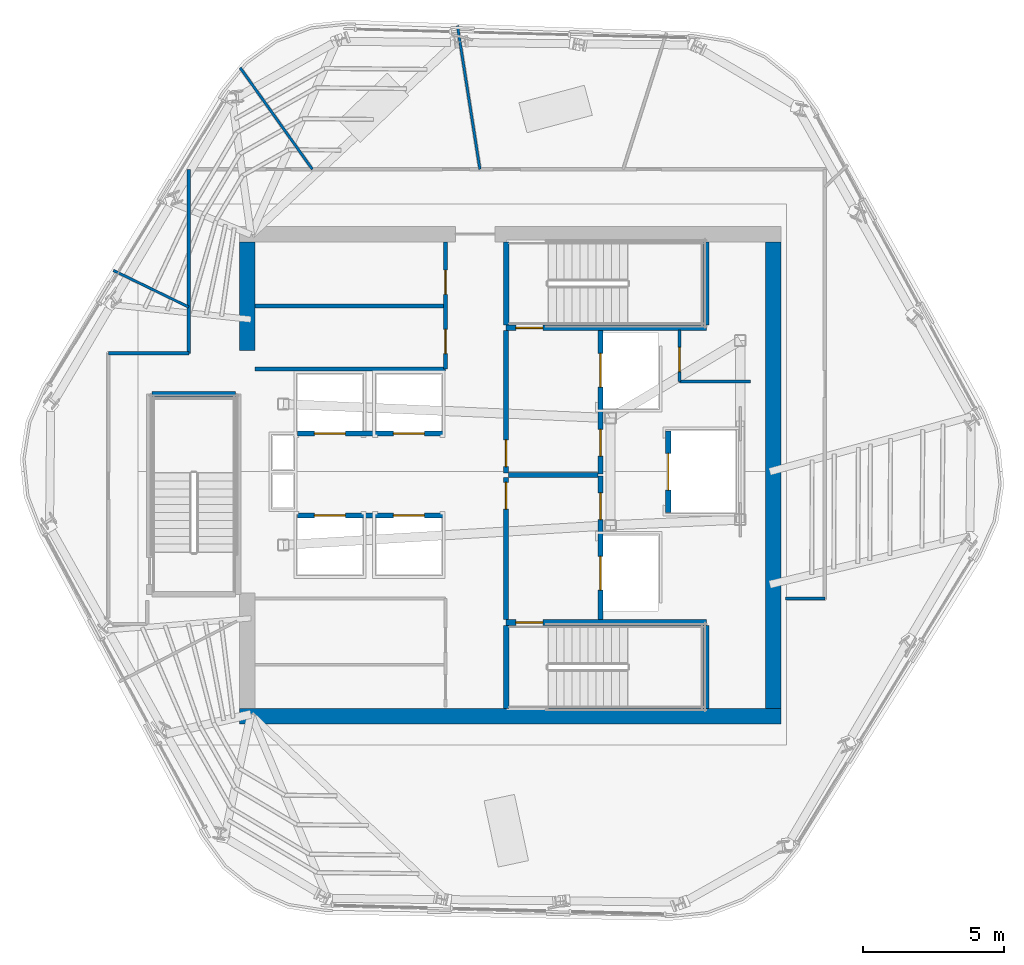
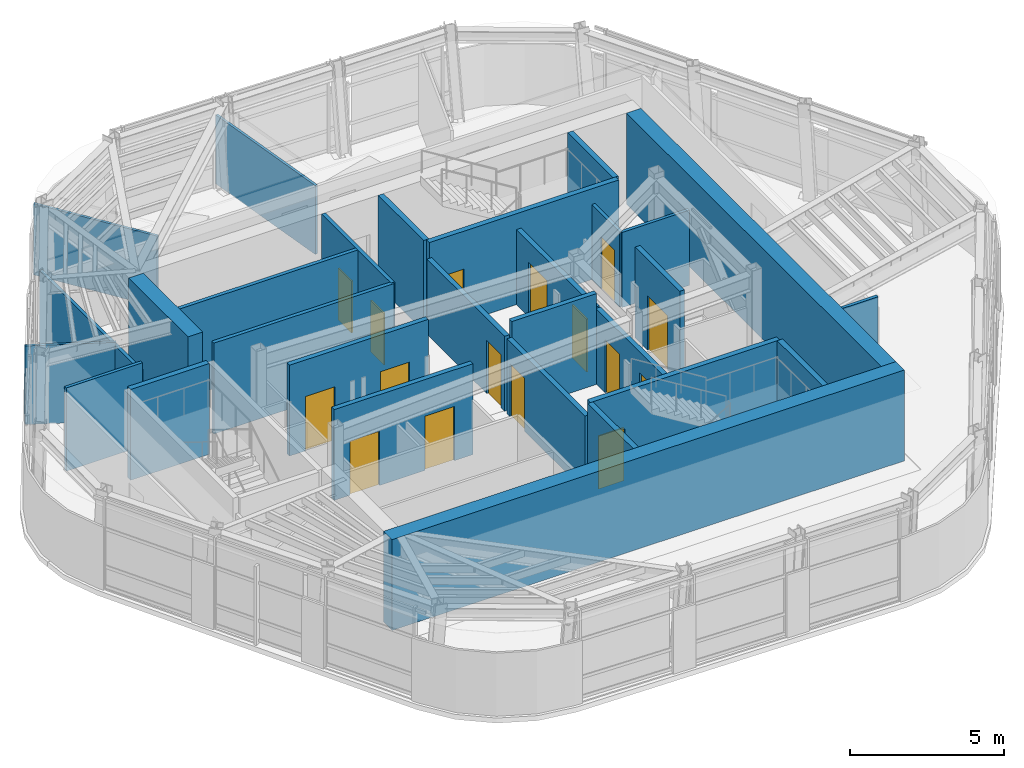
# One storey, part 7 of 13: 29 walls, 16 doors, 16 openings.
"""IFC4 building model written with IfcOpenShell, lengths in metres."""

from ifc_helpers import new_model, si_unit, direction, frame, frame_2d, origin, place, context, subcontext, project, spatial, rectangle, extrude, material, layer, layer_set, type_object, element, fill, save


model = new_model("IFC4")

# Units and contexts
model_context = context("Model", 3, precision=1e-05, world=origin(), true_north=direction((0.0, 1.0)))
body_context = subcontext(model_context, "Body", "Model", "MODEL_VIEW")
ifc_project = project(units=[si_unit("LENGTHUNIT", "METRE"), si_unit("AREAUNIT", "SQUARE_METRE"), si_unit("VOLUMEUNIT", "CUBIC_METRE"), si_unit("PLANEANGLEUNIT", "RADIAN"), si_unit("MASSUNIT", "GRAM", prefix="KILO")], contexts=[model_context])

# Site, building, storey
site_placement = place(None, origin())
site = spatial("IfcSite", under=ifc_project, at=site_placement, CompositionType="ELEMENT")
building_placement = place(site_placement, origin())
building = spatial("IfcBuilding", under=site, at=building_placement, Name="Valkerne Bourse Tower", CompositionType="ELEMENT")
storey_placement = place(building_placement, frame((0.0, 0.0, 277.39990234375)))
storey = spatial("IfcBuildingStorey", under=building, at=storey_placement, Name="L70", CompositionType="ELEMENT", Elevation=277.39990234375)

# Walls
ifc_material_1 = material(Name="Concrete C55/67", Category="concrete")
ifc_layer_1 = layer(ifc_material_1, 0.550048828125)
ifc_layer_set_1 = layer_set([ifc_layer_1], Name="Concrete C55/67")
wall_type_1 = type_object("IfcWallType", Name="W-CORE-550", PredefinedType="SHEAR", material=ifc_layer_set_1)
wall_1_placement = place(storey_placement, frame((37.199951171875, 18.324951171875, 0.0), z_axis=(0.0, 0.0, 1.0), x_axis=(1.0, 0.0, 0.0)))
element("IfcWall", 1, at=wall_1_placement, inside=storey, type_object=wall_type_1, Name="L70 Core Shear Wall SOUTH", PredefinedType="SHEAR", context=body_context, shape_type="SweptSolid", body=[
    extrude(rectangle(XDim=19.199951171875, YDim=0.550048828125, at=frame_2d((9.60009765625, 0.0))), origin(), (0.0, 0.0, 1.0), 3.60009765625),
])
wall_2_placement = place(storey_placement, frame((56.125, 18.60009765625, 0.0), z_axis=(0.0, 0.0, 1.0), x_axis=(0.0, 1.0, 0.0)))
element("IfcWall", 2, at=wall_2_placement, inside=storey, type_object=wall_type_1, Name="L70 Core Shear Wall EAST", PredefinedType="SHEAR", context=body_context, shape_type="SweptSolid", body=[
    extrude(rectangle(XDim=16.5498046875, YDim=0.550048828125, at=frame_2d((8.27490234375, 0.0))), origin(), (0.0, 0.0, 1.0), 3.60009765625),
])
wall_3_placement = place(storey_placement, frame((37.47509765625, 31.300048828125, 0.0), z_axis=(0.0, 0.0, 1.0), x_axis=(0.0, 1.0, 0.0)))
element("IfcWall", 3, at=wall_3_placement, inside=storey, type_object=wall_type_1, Name="L70 Core Shear Wall WEST-N", PredefinedType="SHEAR", context=body_context, shape_type="SweptSolid", body=[
    extrude(rectangle(XDim=3.849853515625, YDim=0.550048828125, at=frame_2d((1.9248046875, 0.0))), origin(), (0.0, 0.0, 1.0), 3.60009765625),
])

# Wall, opening, door
ifc_material_2 = material(Name="Gypsum Board Steel-Stud Partition", Category="steel")
ifc_layer_2 = layer(ifc_material_2, 0.117919921875)
ifc_layer_set_2 = layer_set([ifc_layer_2], Name="Gypsum Board Steel-Stud Partition")
wall_type_2 = type_object("IfcWallType", Name="W-CORR-140", PredefinedType="PARTITIONING", material=ifc_layer_set_2)
wall_4_placement = place(storey_placement, frame((52.800048828125, 30.199951171875, 0.0), z_axis=(0.0, 0.0, 1.0), x_axis=(0.0, 1.0, 0.0)))
wall_4 = element("IfcWall", 4, at=wall_4_placement, inside=storey, type_object=wall_type_2, Name="L70 Core NE Bay West Wall", PredefinedType="PARTITIONING", context=body_context, shape_type="SweptSolid", body=[
    extrude(rectangle(XDim=1.820068359375, YDim=0.117919921875, at=frame_2d((0.91015625, 0.0))), origin(), (0.0, 0.0, 1.0), 2.977783203125),
])
opening_1_placement = place(wall_4_placement, frame((0.35009765625, 0.0, 0.0)))
opening_1 = element("IfcOpeningElement", 5, at=opening_1_placement, cuts=wall_4, Name="Opening D-WC-900", PredefinedType="OPENING", context=body_context, shape_type="SweptSolid", body=[
    extrude(rectangle(XDim=0.860107421875, YDim=2.050048828125, at=frame_2d((0.43017578125, 1.02490234375))), frame((0.0, 0.06884765625, 0.0), z_axis=(0.0, -1.0, 0.0), x_axis=(1.0, 0.0, 0.0)), (0.0, 0.0, 1.0), 0.137939453125),
])
ifc_material_3 = material(Name="Architectural White Oak Timber", Category="wood")
door_type_1 = type_object("IfcDoorType", Name="DR-WC-900", OperationType="NOTDEFINED", PredefinedType="DOOR", material=ifc_material_3)
door_1_placement = place(opening_1_placement, origin())
door_1 = element("IfcDoor", 6, at=door_1_placement, inside=storey, type_object=door_type_1, Name="L70 Electrical Closet Door", OperationType="SINGLE_SWING_LEFT", OverallHeight=2.050048828125, OverallWidth=0.860107421875, PredefinedType="DOOR", context=body_context, shape_type="SweptSolid", body=[
    extrude(rectangle(XDim=0.860107421875, YDim=2.050048828125, at=frame_2d((0.43017578125, 1.02490234375))), frame((0.0, 0.02490234375, 0.0), z_axis=(0.0, -1.0, 0.0), x_axis=(1.0, 0.0, 0.0)), (0.0, 0.0, 1.0), 0.050048828125),
])
fill(opening_1, door_1)

# Walls
wall_5_placement = place(storey_placement, frame((52.800048828125, 30.199951171875, 0.0), z_axis=(0.0, 0.0, 1.0), x_axis=(1.0, 0.0, 0.0)))
element("IfcWall", 7, at=wall_5_placement, inside=storey, type_object=wall_type_2, Name="L70 Core NE Bay South Wall", PredefinedType="PARTITIONING", context=body_context, shape_type="SweptSolid", body=[
    extrude(rectangle(XDim=2.52001953125, YDim=0.117919921875, at=frame_2d((1.260009765625, 0.0))), origin(), (0.0, 0.0, 1.0), 2.977783203125),
])
wall_6_placement = place(storey_placement, frame((35.39990234375, 31.199951171875, 0.0), z_axis=(0.0, 0.0, 1.0), x_axis=(0.0, 1.0, 0.0)))
element("IfcWall", 8, at=wall_6_placement, inside=storey, type_object=wall_type_2, Name="L70 Corridor Enclosure Wall", PredefinedType="PARTITIONING", context=body_context, shape_type="SweptSolid", body=[
    extrude(rectangle(XDim=6.52001953125, YDim=0.117919921875, at=frame_2d((3.260009765625, 0.0))), origin(), (0.0, 0.0, 1.0), 2.983154296875),
])
wall_7_placement = place(storey_placement, frame((57.949951171875, 22.5, 0.0), z_axis=(0.0, 0.0, 1.0), x_axis=(-1.0, 0.0, 0.0)))
element("IfcWall", 9, at=wall_7_placement, inside=storey, type_object=wall_type_2, Name="L70 Corridor Enclosure Wall", PredefinedType="PARTITIONING", context=body_context, shape_type="SweptSolid", body=[
    extrude(rectangle(XDim=1.389892578125, YDim=0.117919921875, at=frame_2d((0.69482421875, 0.0))), origin(), (0.0, 0.0, 1.0), 3.300048828125),
])
wall_8_placement = place(storey_placement, frame((32.550048828125, 31.199951171875, 0.0), z_axis=(0.0, 0.0, 1.0), x_axis=(1.0, 0.0, 0.0)))
element("IfcWall", 10, at=wall_8_placement, inside=storey, type_object=wall_type_2, Name="L70 Corridor Enclosure Wall", PredefinedType="PARTITIONING", context=body_context, shape_type="SweptSolid", body=[
    extrude(rectangle(XDim=2.849853515625, YDim=0.117919921875, at=frame_2d((1.4248046875, 0.0))), origin(), (0.0, 0.0, 1.0), 3.300048828125),
])
ifc_material_4 = material(Name="Gypsum Fire-Rated Shaftwall", Category="gypsum")
ifc_layer_3 = layer(ifc_material_4, 0.179931640625)
ifc_layer_set_3 = layer_set([ifc_layer_3], Name="Gypsum Fire-Rated Shaftwall")
wall_type_3 = type_object("IfcWallType", Name="W-FSAE-180", PredefinedType="PARTITIONING", material=ifc_layer_set_3)
wall_9_placement = place(storey_placement, frame((46.739990234375, 26.8798828125, 0.0), z_axis=(0.0, 0.0, 1.0), x_axis=(1.0, 0.0, 0.0)))
element("IfcWall", 11, at=wall_9_placement, inside=storey, type_object=wall_type_3, Name="L70 FSAE-1/2 Lobby Dividing Fire Wall", PredefinedType="PARTITIONING", context=body_context, shape_type="SweptSolid", body=[
    extrude(rectangle(XDim=3.169921875, YDim=0.179931640625, at=frame_2d((1.5849609375, 0.0))), origin(), (0.0, 0.0, 1.0), 3.60009765625),
])

# Wall, opening, door
wall_10_placement = place(storey_placement, frame((46.64990234375, 21.75, 0.0), z_axis=(0.0, 0.0, 1.0), x_axis=(0.0, 1.0, 0.0)))
wall_10 = element("IfcWall", 12, at=wall_10_placement, inside=storey, type_object=wall_type_3, Name="L70 FSAE-1 Lobby West Fire Wall", PredefinedType="PARTITIONING", context=body_context, shape_type="SweptSolid", body=[
    extrude(rectangle(XDim=5.050048828125, YDim=0.179931640625, at=frame_2d((2.52490234375, 0.0))), origin(), (0.0, 0.0, 1.0), 2.977783203125),
])
opening_2_placement = place(wall_10_placement, frame((3.919921875, 0.0, 0.0)))
opening_2 = element("IfcOpeningElement", 13, at=opening_2_placement, cuts=wall_10, Name="Opening D-FS-950", PredefinedType="OPENING", context=body_context, shape_type="SweptSolid", body=[
    extrude(rectangle(XDim=0.949951171875, YDim=2.10009765625, at=frame_2d((0.47509765625, 1.050048828125))), frame((0.0, 0.099853515625, 0.0), z_axis=(0.0, -1.0, 0.0), x_axis=(1.0, 0.0, 0.0)), (0.0, 0.0, 1.0), 0.199951171875),
])
ifc_material_5 = material(Name="Galvanised Painted Steel", Category="steel")
door_type_2 = type_object("IfcDoorType", Name="DR-FSAE-950", OperationType="NOTDEFINED", PredefinedType="DOOR", material=ifc_material_5)
door_2_placement = place(opening_2_placement, origin())
door_2 = element("IfcDoor", 14, at=door_2_placement, inside=storey, type_object=door_type_2, Name="L70 FSAE-1 Hall Link Fire Door", OperationType="SINGLE_SWING_RIGHT", OverallHeight=2.10009765625, OverallWidth=0.949951171875, PredefinedType="DOOR", context=body_context, shape_type="SweptSolid", body=[
    extrude(rectangle(XDim=0.949951171875, YDim=2.10009765625, at=frame_2d((0.47509765625, 1.050048828125))), frame((0.0, 0.02490234375, 0.0), z_axis=(0.0, -1.0, 0.0), x_axis=(1.0, 0.0, 0.0)), (0.0, 0.0, 1.0), 0.050048828125),
])
fill(opening_2, door_2)

wall_11_placement = place(storey_placement, frame((46.64990234375, 26.9599609375, 0.0), z_axis=(0.0, 0.0, 1.0), x_axis=(0.0, 1.0, 0.0)))
wall_11 = element("IfcWall", 15, at=wall_11_placement, inside=storey, type_object=wall_type_3, Name="L70 FSAE-2 Lobby West Fire Wall", PredefinedType="PARTITIONING", context=body_context, shape_type="SweptSolid", body=[
    extrude(rectangle(XDim=5.0400390625, YDim=0.179931640625, at=frame_2d((2.52001953125, 0.0))), origin(), (0.0, 0.0, 1.0), 2.977783203125),
])
opening_3_placement = place(wall_11_placement, frame((0.219970703125, 0.0, 0.0)))
opening_3 = element("IfcOpeningElement", 16, at=opening_3_placement, cuts=wall_11, Name="Opening D-FS-950", PredefinedType="OPENING", context=body_context, shape_type="SweptSolid", body=[
    extrude(rectangle(XDim=0.949951171875, YDim=2.10009765625, at=frame_2d((0.47509765625, 1.050048828125))), frame((0.0, 0.099853515625, 0.0), z_axis=(0.0, -1.0, 0.0), x_axis=(1.0, 0.0, 0.0)), (0.0, 0.0, 1.0), 0.199951171875),
])
door_3_placement = place(opening_3_placement, origin())
door_3 = element("IfcDoor", 17, at=door_3_placement, inside=storey, type_object=door_type_2, Name="L70 FSAE-2 Hall Link Fire Door", OperationType="SINGLE_SWING_RIGHT", OverallHeight=2.10009765625, OverallWidth=0.949951171875, PredefinedType="DOOR", context=body_context, shape_type="SweptSolid", body=[
    extrude(rectangle(XDim=0.949951171875, YDim=2.10009765625, at=frame_2d((0.47509765625, 1.050048828125))), frame((0.0, 0.02490234375, 0.0), z_axis=(0.0, -1.0, 0.0), x_axis=(1.0, 0.0, 0.0)), (0.0, 0.0, 1.0), 0.050048828125),
])
fill(opening_3, door_3)

# Wall, openings, doors
wall_12_placement = place(storey_placement, frame((50.0, 21.75, 0.0), z_axis=(0.0, 0.0, 1.0), x_axis=(0.0, 1.0, 0.0)))
wall_12 = element("IfcWall", 18, at=wall_12_placement, inside=storey, type_object=wall_type_3, Name="L70 FSAE-1 Lobby & Shaft Front Wall", PredefinedType="PARTITIONING", context=body_context, shape_type="SweptSolid", body=[
    extrude(rectangle(XDim=5.090087890625, YDim=0.179931640625, at=frame_2d((2.544921875, 0.0))), origin(), (0.0, 0.0, 1.0), 2.977783203125),
])
opening_4_placement = place(wall_12_placement, frame((1.050048828125, 0.0, 0.0)))
opening_4 = element("IfcOpeningElement", 19, at=opening_4_placement, cuts=wall_12, Name="Opening LD-1200", PredefinedType="OPENING", context=body_context, shape_type="SweptSolid", body=[
    extrude(rectangle(XDim=1.199951171875, YDim=2.14990234375, at=frame_2d((0.60009765625, 1.074951171875))), frame((0.0, 0.099853515625, 0.0), z_axis=(0.0, -1.0, 0.0), x_axis=(1.0, 0.0, 0.0)), (0.0, 0.0, 1.0), 0.199951171875),
])
opening_5_placement = place(wall_12_placement, frame((3.550048828125, 0.0, 0.0)))
opening_5 = element("IfcOpeningElement", 20, at=opening_5_placement, cuts=wall_12, Name="Opening D-FS-950", PredefinedType="OPENING", context=body_context, shape_type="SweptSolid", body=[
    extrude(rectangle(XDim=0.949951171875, YDim=2.10009765625, at=frame_2d((0.47509765625, 1.050048828125))), frame((0.0, 0.099853515625, 0.0), z_axis=(0.0, -1.0, 0.0), x_axis=(1.0, 0.0, 0.0)), (0.0, 0.0, 1.0), 0.199951171875),
])
door_4_placement = place(opening_5_placement, origin())
door_4 = element("IfcDoor", 21, at=door_4_placement, inside=storey, type_object=door_type_2, Name="L70 FSAE-1 Lobby Corridor Fire Door", OperationType="SINGLE_SWING_RIGHT", OverallHeight=2.10009765625, OverallWidth=0.949951171875, PredefinedType="DOOR", context=body_context, shape_type="SweptSolid", body=[
    extrude(rectangle(XDim=0.949951171875, YDim=2.10009765625, at=frame_2d((0.47509765625, 1.050048828125))), frame((0.0, 0.02490234375, 0.0), z_axis=(0.0, -1.0, 0.0), x_axis=(1.0, 0.0, 0.0)), (0.0, 0.0, 1.0), 0.050048828125),
])
fill(opening_5, door_4)
ifc_material_6 = material(Name="Stainless Steel AISI 316", Category="steel")
door_type_3 = type_object("IfcDoorType", Name="DR-LIFT-1200", OperationType="DOUBLE_DOOR_SLIDING", PredefinedType="DOOR", material=ifc_material_6)
door_5_placement = place(opening_4_placement, origin())
door_5 = element("IfcDoor", 22, at=door_5_placement, inside=storey, type_object=door_type_3, Name="L70 FSAE-1 Firefighting Lift Landing Door", OperationType="DOUBLE_DOOR_SLIDING", OverallHeight=2.14990234375, OverallWidth=1.199951171875, PredefinedType="DOOR", context=body_context, shape_type="SweptSolid", body=[
    extrude(rectangle(XDim=1.199951171875, YDim=2.14990234375, at=frame_2d((0.60009765625, 1.074951171875))), frame((0.0, 0.02490234375, 0.0), z_axis=(0.0, -1.0, 0.0), x_axis=(1.0, 0.0, 0.0)), (0.0, 0.0, 1.0), 0.050048828125),
])
fill(opening_4, door_5)

wall_13_placement = place(storey_placement, frame((50.0, 26.919921875, 0.0), z_axis=(0.0, 0.0, 1.0), x_axis=(0.0, 1.0, 0.0)))
wall_13 = element("IfcWall", 23, at=wall_13_placement, inside=storey, type_object=wall_type_3, Name="L70 FSAE-2 Lobby & Shaft Front Wall", PredefinedType="PARTITIONING", context=body_context, shape_type="SweptSolid", body=[
    extrude(rectangle(XDim=5.080078125, YDim=0.179931640625, at=frame_2d((2.5400390625, 0.0))), origin(), (0.0, 0.0, 1.0), 2.977783203125),
])
opening_6_placement = place(wall_13_placement, frame((3.080078125, 0.0, 0.0)))
opening_6 = element("IfcOpeningElement", 24, at=opening_6_placement, cuts=wall_13, Name="Opening LD-1200", PredefinedType="OPENING", context=body_context, shape_type="SweptSolid", body=[
    extrude(rectangle(XDim=1.199951171875, YDim=2.14990234375, at=frame_2d((0.60009765625, 1.074951171875))), frame((0.0, 0.099853515625, 0.0), z_axis=(0.0, -1.0, 0.0), x_axis=(1.0, 0.0, 0.0)), (0.0, 0.0, 1.0), 0.199951171875),
])
opening_7_placement = place(wall_13_placement, frame((0.6298828125, 0.0, 0.0)))
opening_7 = element("IfcOpeningElement", 25, at=opening_7_placement, cuts=wall_13, Name="Opening D-FS-950", PredefinedType="OPENING", context=body_context, shape_type="SweptSolid", body=[
    extrude(rectangle(XDim=0.949951171875, YDim=2.10009765625, at=frame_2d((0.47509765625, 1.050048828125))), frame((0.0, 0.099853515625, 0.0), z_axis=(0.0, -1.0, 0.0), x_axis=(1.0, 0.0, 0.0)), (0.0, 0.0, 1.0), 0.199951171875),
])
door_6_placement = place(opening_7_placement, origin())
door_6 = element("IfcDoor", 26, at=door_6_placement, inside=storey, type_object=door_type_2, Name="L70 FSAE-2 Lobby Corridor Fire Door", OperationType="SINGLE_SWING_RIGHT", OverallHeight=2.10009765625, OverallWidth=0.949951171875, PredefinedType="DOOR", context=body_context, shape_type="SweptSolid", body=[
    extrude(rectangle(XDim=0.949951171875, YDim=2.10009765625, at=frame_2d((0.47509765625, 1.050048828125))), frame((0.0, 0.02490234375, 0.0), z_axis=(0.0, -1.0, 0.0), x_axis=(1.0, 0.0, 0.0)), (0.0, 0.0, 1.0), 0.050048828125),
])
fill(opening_7, door_6)
door_7_placement = place(opening_6_placement, origin())
door_7 = element("IfcDoor", 27, at=door_7_placement, inside=storey, type_object=door_type_3, Name="L70 FSAE-2 Firefighting Lift Landing Door", OperationType="DOUBLE_DOOR_SLIDING", OverallHeight=2.14990234375, OverallWidth=1.199951171875, PredefinedType="DOOR", context=body_context, shape_type="SweptSolid", body=[
    extrude(rectangle(XDim=1.199951171875, YDim=2.14990234375, at=frame_2d((0.60009765625, 1.074951171875))), frame((0.0, 0.02490234375, 0.0), z_axis=(0.0, -1.0, 0.0), x_axis=(1.0, 0.0, 0.0)), (0.0, 0.0, 1.0), 0.050048828125),
])
fill(opening_6, door_7)

# Wall, opening, door
ifc_material_7 = material(Name="CMU Blockwork Masonry 200mm", Category="masonry")
ifc_layer_4 = layer(ifc_material_7, 0.179931640625)
ifc_layer_set_4 = layer_set([ifc_layer_4], Name="CMU Blockwork Masonry 200mm")
wall_type_4 = type_object("IfcWallType", Name="W-LFT-180", PredefinedType="SOLIDWALL", material=ifc_layer_set_4)
wall_14_placement = place(storey_placement, frame((52.39990234375, 25.550048828125, 0.0), z_axis=(0.0, 0.0, 1.0), x_axis=(0.0, 1.0, 0.0)))
wall_14 = element("IfcWall", 28, at=wall_14_placement, inside=storey, type_object=wall_type_4, Name="L70 Service Lift SV-1 Front Wall", PredefinedType="SOLIDWALL", context=body_context, shape_type="SweptSolid", body=[
    extrude(rectangle(XDim=2.89990234375, YDim=0.179931640625, at=frame_2d((1.449951171875, 0.0))), origin(), (0.0, 0.0, 1.0), 3.60009765625),
])
opening_8_placement = place(wall_14_placement, frame((0.800048828125, 0.0, 0.0)))
opening_8 = element("IfcOpeningElement", 29, at=opening_8_placement, cuts=wall_14, Name="Opening LD-1300", PredefinedType="OPENING", context=body_context, shape_type="SweptSolid", body=[
    extrude(rectangle(XDim=1.300048828125, YDim=2.14990234375, at=frame_2d((0.64990234375, 1.074951171875))), frame((0.0, 0.099853515625, 0.0), z_axis=(0.0, -1.0, 0.0), x_axis=(1.0, 0.0, 0.0)), (0.0, 0.0, 1.0), 0.199951171875),
])
door_type_4 = type_object("IfcDoorType", Name="DR-LIFT-1300", OperationType="DOUBLE_DOOR_SLIDING", PredefinedType="DOOR", material=ifc_material_6)
door_8_placement = place(opening_8_placement, origin())
door_8 = element("IfcDoor", 30, at=door_8_placement, inside=storey, type_object=door_type_4, Name="L70 Service Lift SV-1 Landing Door", OperationType="DOUBLE_DOOR_SLIDING", OverallHeight=2.14990234375, OverallWidth=1.300048828125, PredefinedType="DOOR", context=body_context, shape_type="SweptSolid", body=[
    extrude(rectangle(XDim=1.300048828125, YDim=2.14990234375, at=frame_2d((0.64990234375, 1.074951171875))), frame((0.0, 0.02490234375, 0.0), z_axis=(0.0, -1.0, 0.0), x_axis=(1.0, 0.0, 0.0)), (0.0, 0.0, 1.0), 0.050048828125),
])
fill(opening_8, door_8)

# Wall, openings, doors
wall_15_placement = place(storey_placement, frame((39.25, 25.449951171875, 0.0), z_axis=(0.0, 0.0, 1.0), x_axis=(1.0, 0.0, 0.0)))
wall_15 = element("IfcWall", 31, at=wall_15_placement, inside=storey, type_object=wall_type_4, Name="L70 High-Zone South Cars Front Wall", PredefinedType="SOLIDWALL", context=body_context, shape_type="SweptSolid", body=[
    extrude(rectangle(XDim=5.199951171875, YDim=0.179931640625, at=frame_2d((2.60009765625, 0.0))), origin(), (0.0, 0.0, 1.0), 3.60009765625),
])
opening_9_placement = place(wall_15_placement, frame((0.60009765625, 0.0, 0.0)))
opening_9 = element("IfcOpeningElement", 32, at=opening_9_placement, cuts=wall_15, Name="Opening LD-1100", PredefinedType="OPENING", context=body_context, shape_type="SweptSolid", body=[
    extrude(rectangle(XDim=1.10009765625, YDim=2.14990234375, at=frame_2d((0.550048828125, 1.074951171875))), frame((0.0, 0.099853515625, 0.0), z_axis=(0.0, -1.0, 0.0), x_axis=(1.0, 0.0, 0.0)), (0.0, 0.0, 1.0), 0.199951171875),
])
opening_10_placement = place(wall_15_placement, frame((3.39990234375, 0.0, 0.0)))
opening_10 = element("IfcOpeningElement", 33, at=opening_10_placement, cuts=wall_15, Name="Opening LD-1100", PredefinedType="OPENING", context=body_context, shape_type="SweptSolid", body=[
    extrude(rectangle(XDim=1.10009765625, YDim=2.14990234375, at=frame_2d((0.550048828125, 1.074951171875))), frame((0.0, 0.099853515625, 0.0), z_axis=(0.0, -1.0, 0.0), x_axis=(1.0, 0.0, 0.0)), (0.0, 0.0, 1.0), 0.199951171875),
])
door_type_5 = type_object("IfcDoorType", Name="DR-LIFT-1100", OperationType="DOUBLE_DOOR_SLIDING", PredefinedType="DOOR", material=ifc_material_6)
door_9_placement = place(opening_9_placement, origin())
door_9 = element("IfcDoor", 34, at=door_9_placement, inside=storey, type_object=door_type_5, Name="L70 Passenger Lift PL-H1 Sliding Landing Door", OperationType="DOUBLE_DOOR_SLIDING", OverallHeight=2.14990234375, OverallWidth=1.10009765625, PredefinedType="DOOR", context=body_context, shape_type="SweptSolid", body=[
    extrude(rectangle(XDim=1.10009765625, YDim=2.14990234375, at=frame_2d((0.550048828125, 1.074951171875))), frame((0.0, 0.02490234375, 0.0), z_axis=(0.0, -1.0, 0.0), x_axis=(1.0, 0.0, 0.0)), (0.0, 0.0, 1.0), 0.050048828125),
])
fill(opening_9, door_9)
door_10_placement = place(opening_10_placement, origin())
door_10 = element("IfcDoor", 35, at=door_10_placement, inside=storey, type_object=door_type_5, Name="L70 Passenger Lift PL-H2 Sliding Landing Door", OperationType="DOUBLE_DOOR_SLIDING", OverallHeight=2.14990234375, OverallWidth=1.10009765625, PredefinedType="DOOR", context=body_context, shape_type="SweptSolid", body=[
    extrude(rectangle(XDim=1.10009765625, YDim=2.14990234375, at=frame_2d((0.550048828125, 1.074951171875))), frame((0.0, 0.02490234375, 0.0), z_axis=(0.0, -1.0, 0.0), x_axis=(1.0, 0.0, 0.0)), (0.0, 0.0, 1.0), 0.050048828125),
])
fill(opening_10, door_10)

wall_16_placement = place(storey_placement, frame((39.25, 28.35009765625, 0.0), z_axis=(0.0, 0.0, 1.0), x_axis=(1.0, 0.0, 0.0)))
wall_16 = element("IfcWall", 36, at=wall_16_placement, inside=storey, type_object=wall_type_4, Name="L70 High-Zone North Cars Front Wall", PredefinedType="SOLIDWALL", context=body_context, shape_type="SweptSolid", body=[
    extrude(rectangle(XDim=5.199951171875, YDim=0.179931640625, at=frame_2d((2.60009765625, 0.0))), origin(), (0.0, 0.0, 1.0), 3.60009765625),
])
opening_11_placement = place(wall_16_placement, frame((0.60009765625, 0.0, 0.0)))
opening_11 = element("IfcOpeningElement", 37, at=opening_11_placement, cuts=wall_16, Name="Opening LD-1100", PredefinedType="OPENING", context=body_context, shape_type="SweptSolid", body=[
    extrude(rectangle(XDim=1.10009765625, YDim=2.14990234375, at=frame_2d((0.550048828125, 1.074951171875))), frame((0.0, 0.099853515625, 0.0), z_axis=(0.0, -1.0, 0.0), x_axis=(1.0, 0.0, 0.0)), (0.0, 0.0, 1.0), 0.199951171875),
])
opening_12_placement = place(wall_16_placement, frame((3.39990234375, 0.0, 0.0)))
opening_12 = element("IfcOpeningElement", 38, at=opening_12_placement, cuts=wall_16, Name="Opening LD-1100", PredefinedType="OPENING", context=body_context, shape_type="SweptSolid", body=[
    extrude(rectangle(XDim=1.10009765625, YDim=2.14990234375, at=frame_2d((0.550048828125, 1.074951171875))), frame((0.0, 0.099853515625, 0.0), z_axis=(0.0, -1.0, 0.0), x_axis=(1.0, 0.0, 0.0)), (0.0, 0.0, 1.0), 0.199951171875),
])
door_11_placement = place(opening_11_placement, origin())
door_11 = element("IfcDoor", 39, at=door_11_placement, inside=storey, type_object=door_type_5, Name="L70 Passenger Lift PL-H3 Sliding Landing Door", OperationType="DOUBLE_DOOR_SLIDING", OverallHeight=2.14990234375, OverallWidth=1.10009765625, PredefinedType="DOOR", context=body_context, shape_type="SweptSolid", body=[
    extrude(rectangle(XDim=1.10009765625, YDim=2.14990234375, at=frame_2d((0.550048828125, 1.074951171875))), frame((0.0, 0.02490234375, 0.0), z_axis=(0.0, -1.0, 0.0), x_axis=(1.0, 0.0, 0.0)), (0.0, 0.0, 1.0), 0.050048828125),
])
fill(opening_11, door_11)
door_12_placement = place(opening_12_placement, origin())
door_12 = element("IfcDoor", 40, at=door_12_placement, inside=storey, type_object=door_type_5, Name="L70 Passenger Lift PL-H4 Sliding Landing Door", OperationType="DOUBLE_DOOR_SLIDING", OverallHeight=2.14990234375, OverallWidth=1.10009765625, PredefinedType="DOOR", context=body_context, shape_type="SweptSolid", body=[
    extrude(rectangle(XDim=1.10009765625, YDim=2.14990234375, at=frame_2d((0.550048828125, 1.074951171875))), frame((0.0, 0.02490234375, 0.0), z_axis=(0.0, -1.0, 0.0), x_axis=(1.0, 0.0, 0.0)), (0.0, 0.0, 1.0), 0.050048828125),
])
fill(opening_12, door_12)

# Walls
ifc_layer_5 = layer(ifc_material_2, 0.092041015625)
ifc_layer_set_5 = layer_set([ifc_layer_5], Name="Gypsum Board Steel-Stud Partition")
wall_type_5 = type_object("IfcWallType", Name="W-PART-115", PredefinedType="PARTITIONING", material=ifc_layer_set_5)
wall_17_placement = place(storey_placement, frame((45.720458984375, 37.72509765625, 0.0), z_axis=(0.0, 0.0, 1.0), x_axis=(-0.154716571503, 0.987958897173, 0.0)))
element("IfcWall", 41, at=wall_17_placement, inside=storey, type_object=wall_type_5, Name="L70 Suite Partition P02", PredefinedType="PARTITIONING", context=body_context, shape_type="SweptSolid", body=[
    extrude(rectangle(XDim=5.152099609375, YDim=0.092041015625, at=frame_2d((2.576171875, 0.0))), origin(), (0.0, 0.0, 1.0), 2.7314453125),
])
wall_18_placement = place(storey_placement, frame((39.778076171875, 37.72509765625, 0.0), z_axis=(0.0, 0.0, 1.0), x_axis=(-0.579301859598, 0.815113093667, 0.0)))
element("IfcWall", 42, at=wall_18_placement, inside=storey, type_object=wall_type_5, Name="L70 Suite Partition P03", PredefinedType="PARTITIONING", context=body_context, shape_type="SweptSolid", body=[
    extrude(rectangle(XDim=4.416748046875, YDim=0.092041015625, at=frame_2d((2.20849609375, 0.0))), origin(), (0.0, 0.0, 1.0), 2.820556640625),
])
wall_19_placement = place(storey_placement, frame((35.39501953125, 32.838134765625, 0.0), z_axis=(0.0, 0.0, 1.0), x_axis=(-0.899287506145, 0.437357955561, 0.0)))
element("IfcWall", 43, at=wall_19_placement, inside=storey, type_object=wall_type_5, Name="L70 Suite Partition P04", PredefinedType="PARTITIONING", context=body_context, shape_type="SweptSolid", body=[
    extrude(rectangle(XDim=2.970947265625, YDim=0.092041015625, at=frame_2d((1.4853515625, 0.0))), origin(), (0.0, 0.0, 1.0), 3.114990234375),
])

# Wall, opening, door
ifc_material_8 = material(Name="Concrete C40/50", Category="concrete")
ifc_layer_6 = layer(ifc_material_8, 0.199951171875)
ifc_layer_set_6 = layer_set([ifc_layer_6], Name="Concrete C40/50")
wall_type_6 = type_object("IfcWallType", Name="W-SHF-200", PredefinedType="SHEAR", material=ifc_layer_set_6)
wall_20_placement = place(storey_placement, frame((46.64990234375, 21.64990234375, 0.0), z_axis=(0.0, 0.0, 1.0), x_axis=(1.0, 0.0, 0.0)))
wall_20 = element("IfcWall", 44, at=wall_20_placement, inside=storey, type_object=wall_type_6, Name="L70 Exit Stair ST-1 Structural Shaft Wall North", PredefinedType="SHEAR", context=body_context, shape_type="SweptSolid", body=[
    extrude(rectangle(XDim=7.10009765625, YDim=0.199951171875, at=frame_2d((3.550048828125, 0.0))), origin(), (0.0, 0.0, 1.0), 3.60009765625),
])
opening_13_placement = place(wall_20_placement, frame((0.35009765625, 0.0, 0.0)))
opening_13 = element("IfcOpeningElement", 45, at=opening_13_placement, cuts=wall_20, Name="Opening D-ST-950", PredefinedType="OPENING", context=body_context, shape_type="SweptSolid", body=[
    extrude(rectangle(XDim=0.949951171875, YDim=2.10009765625, at=frame_2d((0.47509765625, 1.050048828125))), frame((0.0, 0.10986328125, 0.0), z_axis=(0.0, -1.0, 0.0), x_axis=(1.0, 0.0, 0.0)), (0.0, 0.0, 1.0), 0.219970703125),
])
door_type_6 = type_object("IfcDoorType", Name="DR-STAIR-950", OperationType="NOTDEFINED", PredefinedType="DOOR", material=ifc_material_5)
door_13_placement = place(opening_13_placement, origin())
door_13 = element("IfcDoor", 46, at=door_13_placement, inside=storey, type_object=door_type_6, Name="L70 Exit Stair ST-1 Door", OperationType="SINGLE_SWING_LEFT", OverallHeight=2.10009765625, OverallWidth=0.949951171875, PredefinedType="DOOR", context=body_context, shape_type="SweptSolid", body=[
    extrude(rectangle(XDim=0.949951171875, YDim=2.10009765625, at=frame_2d((0.47509765625, 1.050048828125))), frame((0.0, 0.02490234375, 0.0), z_axis=(0.0, -1.0, 0.0), x_axis=(1.0, 0.0, 0.0)), (0.0, 0.0, 1.0), 0.050048828125),
])
fill(opening_13, door_13)

# Walls
for number, where, z_axis, x_axis, name in (
    (47, (46.64990234375, 18.60009765625, 0.0), (0.0, 0.0, 1.0), (0.0, 1.0, 0.0), "L70 Exit Stair ST-1 Structural Shaft Wall West"),
    (48, (53.75, 18.60009765625, 0.0), (0.0, 0.0, 1.0), (0.0, 1.0, 0.0), "L70 Exit Stair ST-1 Structural Shaft Wall East"),
):
    element("IfcWall", number, at=place(storey_placement, frame(where, z_axis=z_axis, x_axis=x_axis)), inside=storey, type_object=wall_type_6, Name=name, PredefinedType="SHEAR", context=body_context, shape_type="SweptSolid", body=[
        extrude(rectangle(XDim=2.949951171875, YDim=0.199951171875, at=frame_2d((1.47509765625, 0.0))), origin(), (0.0, 0.0, 1.0), 3.60009765625),
    ])

# Wall, opening, door
wall_21_placement = place(storey_placement, frame((46.64990234375, 32.10009765625, 0.0), z_axis=(0.0, 0.0, 1.0), x_axis=(1.0, 0.0, 0.0)))
wall_21 = element("IfcWall", 49, at=wall_21_placement, inside=storey, type_object=wall_type_6, Name="L70 Exit Stair ST-2 Structural Shaft Wall South", PredefinedType="SHEAR", context=body_context, shape_type="SweptSolid", body=[
    extrude(rectangle(XDim=7.10009765625, YDim=0.199951171875, at=frame_2d((3.550048828125, 0.0))), origin(), (0.0, 0.0, 1.0), 3.60009765625),
])
opening_14_placement = place(wall_21_placement, frame((0.35009765625, 0.0, 0.0)))
opening_14 = element("IfcOpeningElement", 50, at=opening_14_placement, cuts=wall_21, Name="Opening D-ST-950", PredefinedType="OPENING", context=body_context, shape_type="SweptSolid", body=[
    extrude(rectangle(XDim=0.949951171875, YDim=2.10009765625, at=frame_2d((0.47509765625, 1.050048828125))), frame((0.0, 0.10986328125, 0.0), z_axis=(0.0, -1.0, 0.0), x_axis=(1.0, 0.0, 0.0)), (0.0, 0.0, 1.0), 0.219970703125),
])
door_14_placement = place(opening_14_placement, origin())
door_14 = element("IfcDoor", 51, at=door_14_placement, inside=storey, type_object=door_type_6, Name="L70 Exit Stair ST-2 Door", OperationType="SINGLE_SWING_RIGHT", OverallHeight=2.10009765625, OverallWidth=0.949951171875, PredefinedType="DOOR", context=body_context, shape_type="SweptSolid", body=[
    extrude(rectangle(XDim=0.949951171875, YDim=2.10009765625, at=frame_2d((0.47509765625, 1.050048828125))), frame((0.0, 0.02490234375, 0.0), z_axis=(0.0, -1.0, 0.0), x_axis=(1.0, 0.0, 0.0)), (0.0, 0.0, 1.0), 0.050048828125),
])
fill(opening_14, door_14)

# Walls
for number, where, z_axis, x_axis, name in (
    (52, (46.64990234375, 32.199951171875, 0.0), (0.0, 0.0, 1.0), (0.0, 1.0, 0.0), "L70 Exit Stair ST-2 Structural Shaft Wall West"),
    (53, (53.75, 32.199951171875, 0.0), (0.0, 0.0, 1.0), (0.0, 1.0, 0.0), "L70 Exit Stair ST-2 Structural Shaft Wall East"),
    (54, (34.10009765625, 29.75, 0.0), (0.0, 0.0, 1.0), (1.0, 0.0, 0.0), "L70 Exit Stair ST-3 Structural Shaft Wall North"),
):
    element("IfcWall", number, at=place(storey_placement, frame(where, z_axis=z_axis, x_axis=x_axis)), inside=storey, type_object=wall_type_6, Name=name, PredefinedType="SHEAR", context=body_context, shape_type="SweptSolid", body=[
        extrude(rectangle(XDim=2.949951171875, YDim=0.199951171875, at=frame_2d((1.47509765625, 0.0))), origin(), (0.0, 0.0, 1.0), 3.60009765625),
    ])

# Wall, openings, doors
ifc_material_9 = material(Name="Moisture-Resistant Gypsum Partition", Category="gypsum")
ifc_layer_7 = layer(ifc_material_9, 0.139892578125)
ifc_layer_set_7 = layer_set([ifc_layer_7], Name="Moisture-Resistant Gypsum Partition")
wall_type_7 = type_object("IfcWallType", Name="W-WET-140", PredefinedType="PARTITIONING", material=ifc_layer_set_7)
wall_22_placement = place(storey_placement, frame((44.5, 30.639892578125, 0.0), z_axis=(0.0, 0.0, 1.0), x_axis=(0.0, 1.0, 0.0)))
wall_22 = element("IfcWall", 55, at=wall_22_placement, inside=storey, type_object=wall_type_7, Name="L70 LV7 Mid-Bank East Wall", PredefinedType="PARTITIONING", context=body_context, shape_type="SweptSolid", body=[
    extrude(rectangle(XDim=4.510009765625, YDim=0.139892578125, at=frame_2d((2.2548828125, 0.0))), origin(), (0.0, 0.0, 1.0), 3.60009765625),
])
opening_15_placement = place(wall_22_placement, frame((0.550048828125, 0.0, 0.0)))
opening_15 = element("IfcOpeningElement", 56, at=opening_15_placement, cuts=wall_22, Name="Opening D-WC-900", PredefinedType="OPENING", context=body_context, shape_type="SweptSolid", body=[
    extrude(rectangle(XDim=0.860107421875, YDim=2.050048828125, at=frame_2d((0.43017578125, 1.02490234375))), frame((0.0, 0.079833984375, 0.0), z_axis=(0.0, -1.0, 0.0), x_axis=(1.0, 0.0, 0.0)), (0.0, 0.0, 1.0), 0.159912109375),
])
opening_16_placement = place(wall_22_placement, frame((2.64990234375, 0.0, 0.0)))
opening_16 = element("IfcOpeningElement", 57, at=opening_16_placement, cuts=wall_22, Name="Opening D-WC-900", PredefinedType="OPENING", context=body_context, shape_type="SweptSolid", body=[
    extrude(rectangle(XDim=0.860107421875, YDim=2.050048828125, at=frame_2d((0.43017578125, 1.02490234375))), frame((0.0, 0.079833984375, 0.0), z_axis=(0.0, -1.0, 0.0), x_axis=(1.0, 0.0, 0.0)), (0.0, 0.0, 1.0), 0.159912109375),
])
door_15_placement = place(opening_15_placement, origin())
door_15 = element("IfcDoor", 58, at=door_15_placement, inside=storey, type_object=door_type_1, Name="L70 Executive Kitchen Door", OperationType="SINGLE_SWING_LEFT", OverallHeight=2.050048828125, OverallWidth=0.860107421875, PredefinedType="DOOR", context=body_context, shape_type="SweptSolid", body=[
    extrude(rectangle(XDim=0.860107421875, YDim=2.050048828125, at=frame_2d((0.43017578125, 1.02490234375))), frame((0.0, 0.02490234375, 0.0), z_axis=(0.0, -1.0, 0.0), x_axis=(1.0, 0.0, 0.0)), (0.0, 0.0, 1.0), 0.050048828125),
])
fill(opening_15, door_15)
door_16_placement = place(opening_16_placement, origin())
door_16 = element("IfcDoor", 59, at=door_16_placement, inside=storey, type_object=door_type_1, Name="L70 Executive Briefing Office Door", OperationType="SINGLE_SWING_LEFT", OverallHeight=2.050048828125, OverallWidth=0.860107421875, PredefinedType="DOOR", context=body_context, shape_type="SweptSolid", body=[
    extrude(rectangle(XDim=0.860107421875, YDim=2.050048828125, at=frame_2d((0.43017578125, 1.02490234375))), frame((0.0, 0.02490234375, 0.0), z_axis=(0.0, -1.0, 0.0), x_axis=(1.0, 0.0, 0.0)), (0.0, 0.0, 1.0), 0.050048828125),
])
fill(opening_16, door_16)

# Walls
for number, where, z_axis, x_axis, name in (
    (60, (37.75, 32.8701171875, 0.0), (0.0, 0.0, 1.0), (1.0, 0.0, 0.0), "L70 LV7 Mid-Bank Sub-Divider"),
    (61, (37.75, 30.639892578125, 0.0), (0.0, 0.0, 1.0), (1.0, 0.0, 0.0), "L70 LV7 Mid-Bank South Wall"),
):
    element("IfcWall", number, at=place(storey_placement, frame(where, z_axis=z_axis, x_axis=x_axis)), inside=storey, type_object=wall_type_7, Name=name, PredefinedType="PARTITIONING", context=body_context, shape_type="SweptSolid", body=[
        extrude(rectangle(XDim=6.75, YDim=0.139892578125, at=frame_2d((3.375, 0.0))), origin(), (0.0, 0.0, 1.0), 3.60009765625),
    ])

save(model, "model.ifc")
